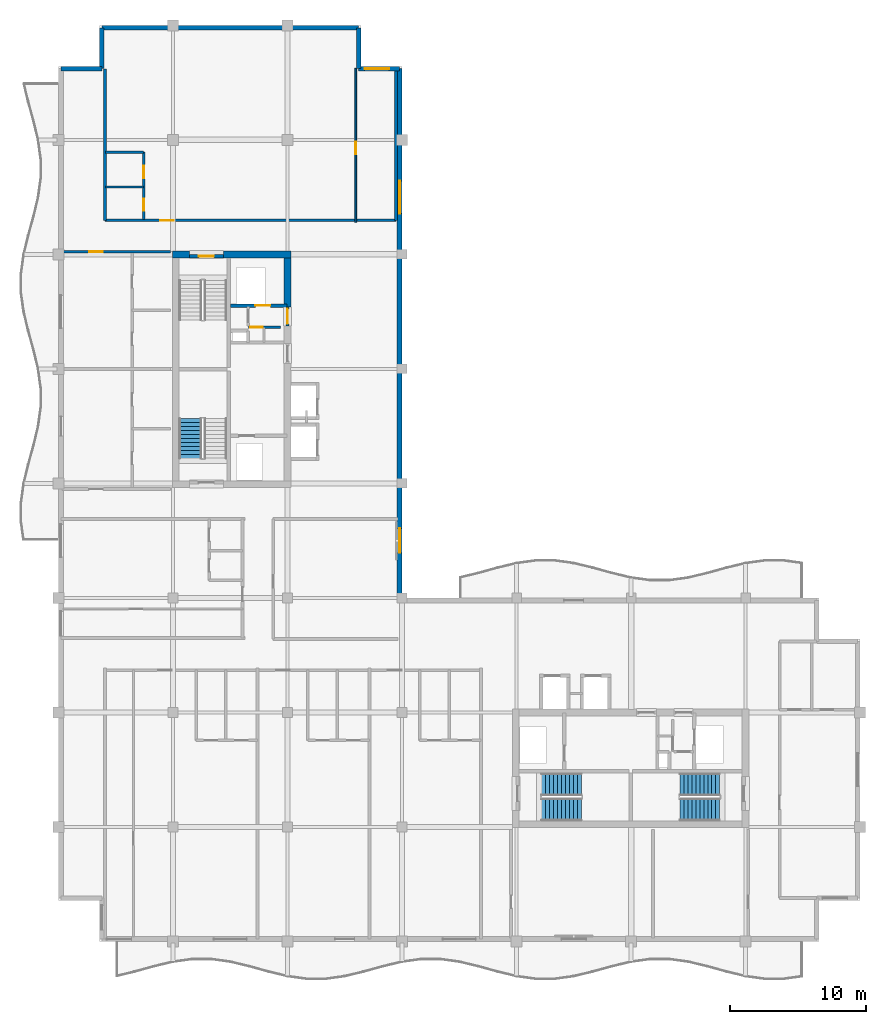
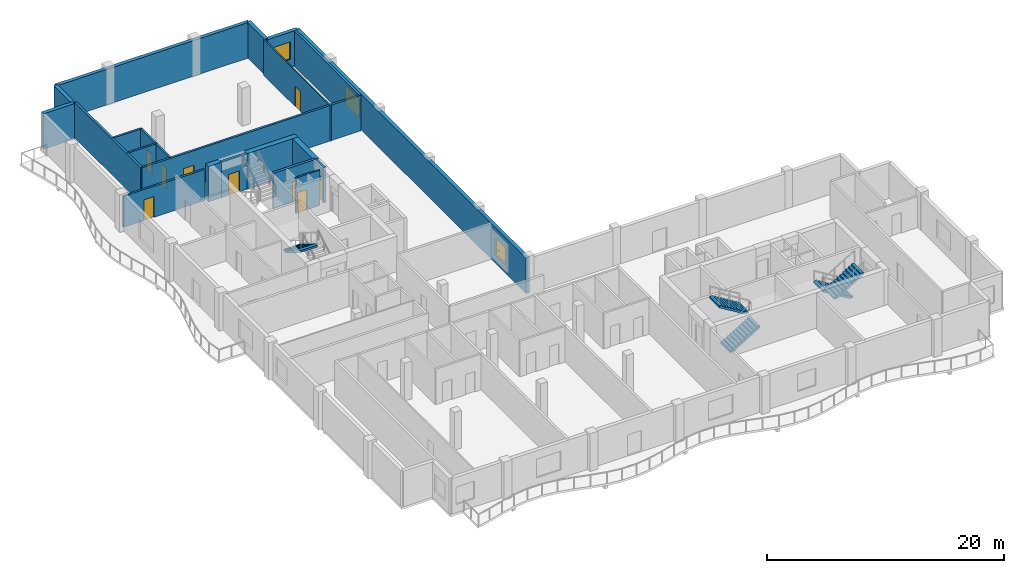
# One storey, part 7 of 11: 21 walls, 9 doors, 5 stair flights, 3 windows, 12 openings, 3 elements without a shape of their own.
"""IFC4 building model written with IfcOpenShell, lengths in metres."""

from ifc_helpers import new_model, si_unit, direction, frame, frame_2d, origin, place, context, subcontext, project, spatial, polyline, rectangle, outline, extrude, material, layer, layer_set, type_object, element, fill, aggregate, save


model = new_model("IFC4")

# Units and contexts
model_context = context("Model", 3, precision=1e-05, world=origin(), true_north=direction((0.0, 1.0)))
body_context = subcontext(model_context, "Body", "Model", "MODEL_VIEW")
ifc_project = project(units=[si_unit("LENGTHUNIT", "METRE"), si_unit("AREAUNIT", "SQUARE_METRE"), si_unit("VOLUMEUNIT", "CUBIC_METRE"), si_unit("PLANEANGLEUNIT", "RADIAN"), si_unit("MASSUNIT", "GRAM", prefix="KILO")], contexts=[model_context])

# Site, building, storey
site_placement = place(None, origin())
site = spatial("IfcSite", under=ifc_project, at=site_placement, CompositionType="ELEMENT")
building_placement = place(site_placement, origin())
building = spatial("IfcBuilding", under=site, at=building_placement, Name="Koriwani Terraces Tower", CompositionType="ELEMENT")
storey_placement = place(building_placement, frame((0.0, 0.0, 312.5)))
storey = spatial("IfcBuildingStorey", under=building, at=storey_placement, Name="L77", CompositionType="ELEMENT", Elevation=312.5)

# Walls
ifc_material_1 = material(Name="Concrete C50/60", Category="concrete")
ifc_layer_1 = layer(ifc_material_1, 0.5, Name="Concrete C50/60")
ifc_layer_set_1 = layer_set([ifc_layer_1], Name="Concrete C50/60")
wall_type_1 = type_object("IfcWallType", Name="WALL_CORE_RC_500", PredefinedType="SHEAR", material=ifc_layer_set_1)
wall_1_placement = place(storey_placement, frame((16.75, 58.800048828125, 0.0), z_axis=(0.0, 0.0, 1.0), x_axis=(1.0, 0.0, 0.0)))
element("IfcWall", 1, at=wall_1_placement, inside=storey, type_object=wall_type_1, Name="L77 West Split Core Shear Wall N1", PredefinedType="SHEAR", context=body_context, shape_type="SweptSolid", body=[
    extrude(rectangle(XDim=1.25, YDim=0.5, at=frame_2d((0.625, 0.0))), origin(), (0.0, 0.0, 1.0), 3.669921875),
])
wall_2_placement = place(storey_placement, frame((20.5, 58.800048828125, 0.0), z_axis=(0.0, 0.0, 1.0), x_axis=(1.0, 0.0, 0.0)))
element("IfcWall", 2, at=wall_2_placement, inside=storey, type_object=wall_type_1, Name="L77 West Split Core Shear Wall N2", PredefinedType="SHEAR", context=body_context, shape_type="SweptSolid", body=[
    extrude(rectangle(XDim=4.949951171875, YDim=0.5, at=frame_2d((2.47509765625, 0.0))), origin(), (0.0, 0.0, 1.0), 3.669921875),
])
wall_3_placement = place(storey_placement, frame((25.199951171875, 54.949951171875, 0.0), z_axis=(0.0, 0.0, 1.0), x_axis=(0.0, 1.0, 0.0)))
element("IfcWall", 3, at=wall_3_placement, inside=storey, type_object=wall_type_1, Name="L77 West Split Core Shear Wall E3", PredefinedType="SHEAR", context=body_context, shape_type="SweptSolid", body=[
    extrude(rectangle(XDim=3.60009765625, YDim=0.5, at=frame_2d((1.800048828125, 0.0))), origin(), (0.0, 0.0, 1.0), 3.669921875),
])

# Wall, opening, door
ifc_material_2 = material(Name="Autoclaved Cellular Concrete Blockwork", Category="masonry")
ifc_layer_2 = layer(ifc_material_2, 0.199951171875, Name="Autoclaved Cellular Concrete Blockwork")
ifc_layer_set_2 = layer_set([ifc_layer_2], Name="Autoclaved Cellular Concrete Blockwork")
wall_type_2 = type_object("IfcWallType", Name="WALL_CORRIDOR_200", PredefinedType="PARTITIONING", material=ifc_layer_set_2)
wall_4_placement = place(storey_placement, frame((8.64990234375, 59.0, 0.0), z_axis=(0.0, 0.0, 1.0), x_axis=(1.0, 0.0, 0.0)))
wall_4 = element("IfcWall", 4, at=wall_4_placement, inside=storey, type_object=wall_type_2, Name="L77 Interior Wall WRZ4-WN-L77", PredefinedType="PARTITIONING", context=body_context, shape_type="SweptSolid", body=[
    extrude(rectangle(XDim=7.9501953125, YDim=0.199951171875, at=frame_2d((3.97509765625, 0.0))), origin(), (0.0, 0.0, 1.0), 3.20703125),
])
opening_1_placement = place(wall_4_placement, frame((2.0, 0.0, 0.0)))
opening_1 = element("IfcOpeningElement", 5, at=opening_1_placement, cuts=wall_4, Name="Opening D-05", PredefinedType="OPENING", context=body_context, shape_type="SweptSolid", body=[
    extrude(rectangle(XDim=1.0, YDim=2.14990234375, at=frame_2d((0.5, 1.074951171875))), frame((0.0, 0.10986328125, 0.0), z_axis=(0.0, -1.0, 0.0), x_axis=(1.0, 0.0, 0.0)), (0.0, 0.0, 1.0), 0.219970703125),
])
ifc_material_3 = material(Name="Architectural Oak Fire Door", Category="wood")
door_type_1 = type_object("IfcDoorType", Name="DOOR_SUITE_ENTRY_1000X2150", OperationType="NOTDEFINED", PredefinedType="DOOR", material=ifc_material_3)
door_1_placement = place(opening_1_placement, origin())
door_1 = element("IfcDoor", 6, at=door_1_placement, inside=storey, type_object=door_type_1, Name="Apartment 77RW2 Entrance Door", OperationType="SINGLE_SWING_LEFT", OverallHeight=2.14990234375, OverallWidth=1.0, PredefinedType="DOOR", context=body_context, shape_type="SweptSolid", body=[
    extrude(rectangle(XDim=1.0, YDim=2.14990234375, at=frame_2d((0.5, 1.074951171875))), frame((0.0, 0.02490234375, 0.0), z_axis=(0.0, -1.0, 0.0), x_axis=(1.0, 0.0, 0.0)), (0.0, 0.0, 1.0), 0.050048828125),
])
fill(opening_1, door_1)

wall_5_placement = place(storey_placement, frame((11.800048828125, 61.300048828125, 0.0), z_axis=(0.0, 0.0, 1.0), x_axis=(1.0, 0.0, 0.0)))
wall_5 = element("IfcWall", 7, at=wall_5_placement, inside=storey, type_object=wall_type_2, Name="L77 Interior Wall WGB-L77-NT-S", PredefinedType="PARTITIONING", context=body_context, shape_type="SweptSolid", body=[
    extrude(rectangle(XDim=21.349853515625, YDim=0.199951171875, at=frame_2d((10.6748046875, 0.0))), origin(), (0.0, 0.0, 1.0), 3.669921875),
])
opening_2_placement = place(wall_5_placement, frame((4.050048828125, 0.0, 0.0)))
opening_2 = element("IfcOpeningElement", 8, at=opening_2_placement, cuts=wall_5, Name="Opening D-05", PredefinedType="OPENING", context=body_context, shape_type="SweptSolid", body=[
    extrude(rectangle(XDim=1.0, YDim=2.14990234375, at=frame_2d((0.5, 1.074951171875))), frame((0.0, 0.10986328125, 0.0), z_axis=(0.0, -1.0, 0.0), x_axis=(1.0, 0.0, 0.0)), (0.0, 0.0, 1.0), 0.219970703125),
])
door_2_placement = place(opening_2_placement, origin())
door_2 = element("IfcDoor", 9, at=door_2_placement, inside=storey, type_object=door_type_1, Name="Apartment 77NT Entrance Door", OperationType="SINGLE_SWING_RIGHT", OverallHeight=2.14990234375, OverallWidth=1.0, PredefinedType="DOOR", context=body_context, shape_type="SweptSolid", body=[
    extrude(rectangle(XDim=1.0, YDim=2.14990234375, at=frame_2d((0.5, 1.074951171875))), frame((0.0, 0.02490234375, 0.0), z_axis=(0.0, -1.0, 0.0), x_axis=(1.0, 0.0, 0.0)), (0.0, 0.0, 1.0), 0.050048828125),
])
fill(opening_2, door_2)

# Walls
ifc_layer_3 = layer(ifc_material_2, 0.219970703125, Name="Autoclaved Cellular Concrete Blockwork")
ifc_layer_set_3 = layer_set([ifc_layer_3], Name="Autoclaved Cellular Concrete Blockwork")
wall_type_3 = type_object("IfcWallType", Name="WALL_DEMISING_220", PredefinedType="PARTITIONING", material=ifc_layer_set_3)
for number, where, z_axis, x_axis, name in (
    (10, (33.14990234375, 61.300048828125, 0.0), (0.0, 0.0, 1.0), (0.0, 1.0, 0.0), "L77 Interior Wall WGB-L77-NT-E"),
    (11, (11.800048828125, 61.300048828125, 0.0), (0.0, 0.0, 1.0), (0.0, 1.0, 0.0), "L77 Interior Wall WGB-L77-NT-W"),
):
    element("IfcWall", number, at=place(storey_placement, frame(where, z_axis=z_axis, x_axis=x_axis)), inside=storey, type_object=wall_type_3, Name=name, PredefinedType="PARTITIONING", context=body_context, shape_type="SweptSolid", body=[
        extrude(rectangle(XDim=11.099853515625, YDim=0.219970703125, at=frame_2d((5.5498046875, 0.0))), origin(), (0.0, 0.0, 1.0), 3.669921875),
    ])
ifc_layer_4 = layer(ifc_material_1, 0.35009765625, Name="Concrete C50/60")
ifc_layer_set_4 = layer_set([ifc_layer_4], Name="Concrete C50/60")
wall_type_4 = type_object("IfcWallType", Name="WALL_EXT_BRUTALIST_350", PredefinedType="STANDARD", material=ifc_layer_set_4)
for number, where, z_axis, x_axis, name in (
    (12, (8.574951171875, 72.425048828125, 0.0), (0.0, 0.0, 1.0), (1.0, 0.0, 0.0), "L77 Fair-Faced Brutalist Exterior Wall (N3)"),
    (13, (11.574951171875, 72.425048828125, 0.0), (0.0, 0.0, 1.0), (0.0, 1.0, 0.0), "L77 Fair-Faced Brutalist Exterior Wall (N4)"),
):
    element("IfcWall", number, at=place(storey_placement, frame(where, z_axis=z_axis, x_axis=x_axis)), inside=storey, type_object=wall_type_4, Name=name, PredefinedType="STANDARD", context=body_context, shape_type="SweptSolid", body=[
        extrude(rectangle(XDim=3.0, YDim=0.35009765625, at=frame_2d((1.5, 0.0))), origin(), (0.0, 0.0, 1.0), 3.669921875),
    ])
wall_6_placement = place(storey_placement, frame((11.574951171875, 75.425048828125, 0.0), z_axis=(0.0, 0.0, 1.0), x_axis=(1.0, 0.0, 0.0)))
element("IfcWall", 14, at=wall_6_placement, inside=storey, type_object=wall_type_4, Name="L77 Fair-Faced Brutalist Exterior Wall (N_TIP)", PredefinedType="STANDARD", context=body_context, shape_type="SweptSolid", body=[
    extrude(rectangle(XDim=18.85009765625, YDim=0.35009765625, at=frame_2d((9.425048828125, 0.0))), origin(), (0.0, 0.0, 1.0), 3.669921875),
])
wall_7_placement = place(storey_placement, frame((30.425048828125, 75.425048828125, 0.0), z_axis=(0.0, 0.0, 1.0), x_axis=(0.0, -1.0, 0.0)))
element("IfcWall", 15, at=wall_7_placement, inside=storey, type_object=wall_type_4, Name="L77 Fair-Faced Brutalist Exterior Wall (N6)", PredefinedType="STANDARD", context=body_context, shape_type="SweptSolid", body=[
    extrude(rectangle(XDim=3.0, YDim=0.35009765625, at=frame_2d((1.5, 0.0))), origin(), (0.0, 0.0, 1.0), 3.669921875),
])

# Wall, opening, window
wall_8_placement = place(storey_placement, frame((30.425048828125, 72.425048828125, 0.0), z_axis=(0.0, 0.0, 1.0), x_axis=(1.0, 0.0, 0.0)))
wall_8 = element("IfcWall", 16, at=wall_8_placement, inside=storey, type_object=wall_type_4, Name="L77 Fair-Faced Brutalist Exterior Wall (N7)", PredefinedType="STANDARD", context=body_context, shape_type="SweptSolid", body=[
    extrude(rectangle(XDim=3.0, YDim=0.35009765625, at=frame_2d((1.5, 0.0))), origin(), (0.0, 0.0, 1.0), 3.669921875),
])
opening_3_placement = place(wall_8_placement, frame((0.4375, 0.0, 0.85009765625)))
opening_3 = element("IfcOpeningElement", 17, at=opening_3_placement, cuts=wall_8, Name="Opening W-04", PredefinedType="OPENING", context=body_context, shape_type="SweptSolid", body=[
    extrude(rectangle(XDim=1.800048828125, YDim=1.800048828125, at=frame_2d((0.89990234375, 0.89990234375))), frame((0.0, 0.18505859375, 0.0), z_axis=(0.0, -1.0, 0.0), x_axis=(1.0, 0.0, 0.0)), (0.0, 0.0, 1.0), 0.3701171875),
])
ifc_material_4 = material(Name="Tempered Laminated Low-E Glass", Category="glass")
window_type_1 = type_object("IfcWindowType", Name="WIN_RES_BED_1800X1800", PartitioningType="DOUBLE_PANEL_VERTICAL", PredefinedType="WINDOW", material=ifc_material_4)
window_1_placement = place(opening_3_placement, origin())
window_1 = element("IfcWindow", 18, at=window_1_placement, inside=storey, type_object=window_type_1, Name="L77 Exterior Window (N7-R47)", OverallHeight=1.800048828125, OverallWidth=1.800048828125, PartitioningType="SINGLE_PANEL", PredefinedType="WINDOW", context=body_context, shape_type="SweptSolid", body=[
    extrude(rectangle(XDim=1.800048828125, YDim=1.800048828125, at=frame_2d((0.89990234375, 0.89990234375))), frame((0.0, 0.030029296875, 0.0), z_axis=(0.0, -1.0, 0.0), x_axis=(1.0, 0.0, 0.0)), (0.0, 0.0, 1.0), 0.06005859375),
])
fill(opening_3, window_1)

# Wall, openings, windows
wall_9_placement = place(storey_placement, frame((33.425048828125, 72.425048828125, 0.0), z_axis=(0.0, 0.0, 1.0), x_axis=(0.0, -1.0, 0.0)))
wall_9 = element("IfcWall", 19, at=wall_9_placement, inside=storey, type_object=wall_type_4, Name="L77 Fair-Faced Brutalist Exterior Wall (NW_IN)", PredefinedType="STANDARD", context=body_context, shape_type="SweptSolid", body=[
    extrude(rectangle(XDim=39.0, YDim=0.35009765625, at=frame_2d((19.5, 0.0))), origin(), (0.0, 0.0, 1.0), 3.669921875),
])
opening_4_placement = place(wall_9_placement, frame((33.72509765625, 0.0, 0.85009765625)))
opening_4 = element("IfcOpeningElement", 20, at=opening_4_placement, cuts=wall_9, Name="Opening W-04", PredefinedType="OPENING", context=body_context, shape_type="SweptSolid", body=[
    extrude(rectangle(XDim=1.800048828125, YDim=1.800048828125, at=frame_2d((0.89990234375, 0.89990234375))), frame((0.0, 0.18505859375, 0.0), z_axis=(0.0, -1.0, 0.0), x_axis=(1.0, 0.0, 0.0)), (0.0, 0.0, 1.0), 0.3701171875),
])
opening_5_placement = place(wall_9_placement, frame((8.22509765625, 0.0, 0.85009765625)))
opening_5 = element("IfcOpeningElement", 21, at=opening_5_placement, cuts=wall_9, Name="Opening W-03", PredefinedType="OPENING", context=body_context, shape_type="SweptSolid", body=[
    extrude(rectangle(XDim=2.39990234375, YDim=1.949951171875, at=frame_2d((1.199951171875, 0.97509765625))), frame((0.0, 0.18505859375, 0.0), z_axis=(0.0, -1.0, 0.0), x_axis=(1.0, 0.0, 0.0)), (0.0, 0.0, 1.0), 0.3701171875),
])
window_2_placement = place(opening_4_placement, origin())
window_2 = element("IfcWindow", 22, at=window_2_placement, inside=storey, type_object=window_type_1, Name="L77 Exterior Window (NW_IN-2)", OverallHeight=1.800048828125, OverallWidth=1.800048828125, PartitioningType="SINGLE_PANEL", PredefinedType="WINDOW", context=body_context, shape_type="SweptSolid", body=[
    extrude(rectangle(XDim=1.800048828125, YDim=1.800048828125, at=frame_2d((0.89990234375, 0.89990234375))), frame((0.0, 0.030029296875, 0.0), z_axis=(0.0, -1.0, 0.0), x_axis=(1.0, 0.0, 0.0)), (0.0, 0.0, 1.0), 0.06005859375),
])
fill(opening_4, window_2)
window_type_2 = type_object("IfcWindowType", Name="WIN_RES_LIVING_2400X1950", PartitioningType="DOUBLE_PANEL_VERTICAL", PredefinedType="WINDOW", material=ifc_material_4)
window_3_placement = place(opening_5_placement, origin())
window_3 = element("IfcWindow", 23, at=window_3_placement, inside=storey, type_object=window_type_2, Name="L77 Exterior Window (NW_IN-11)", OverallHeight=1.949951171875, OverallWidth=2.39990234375, PartitioningType="SINGLE_PANEL", PredefinedType="WINDOW", context=body_context, shape_type="SweptSolid", body=[
    extrude(rectangle(XDim=2.39990234375, YDim=1.949951171875, at=frame_2d((1.199951171875, 0.97509765625))), frame((0.0, 0.030029296875, 0.0), z_axis=(0.0, -1.0, 0.0), x_axis=(1.0, 0.0, 0.0)), (0.0, 0.0, 1.0), 0.06005859375),
])
fill(opening_5, window_3)

# Wall, opening, door
ifc_material_5 = material(Name="Fire-Rated Acoustic Gypsum Partition", Category="masonry")
ifc_layer_5 = layer(ifc_material_5, 0.125, Name="Fire-Rated Acoustic Gypsum Partition")
ifc_layer_set_5 = layer_set([ifc_layer_5], Name="Fire-Rated Acoustic Gypsum Partition")
wall_type_5 = type_object("IfcWallType", Name="WALL_INT_125", PredefinedType="PARTITIONING", material=ifc_layer_set_5)
wall_10_placement = place(storey_placement, frame((30.199951171875, 61.14990234375, 0.0), z_axis=(0.0, 0.0, 1.0), x_axis=(0.0, 1.0, 0.0)))
wall_10 = element("IfcWall", 24, at=wall_10_placement, inside=storey, type_object=wall_type_5, Name="L77 Interior Wall WGB-L77-NT-BD", PredefinedType="PARTITIONING", context=body_context, shape_type="SweptSolid", body=[
    extrude(rectangle(XDim=11.300048828125, YDim=0.125, at=frame_2d((5.64990234375, 0.0))), origin(), (0.0, 0.0, 1.0), 3.669921875),
])
opening_6_placement = place(wall_10_placement, frame((4.9951171875, 0.0, 0.0)))
opening_6 = element("IfcOpeningElement", 25, at=opening_6_placement, cuts=wall_10, Name="Opening D-06", PredefinedType="OPENING", context=body_context, shape_type="SweptSolid", body=[
    extrude(rectangle(XDim=0.919921875, YDim=2.10009765625, at=frame_2d((0.4599609375, 1.050048828125))), frame((0.0, 0.072509765625, 0.0), z_axis=(0.0, -1.0, 0.0), x_axis=(1.0, 0.0, 0.0)), (0.0, 0.0, 1.0), 0.14501953125),
])
door_type_2 = type_object("IfcDoorType", Name="DOOR_ROOM_INT_920X2100", OperationType="NOTDEFINED", PredefinedType="DOOR", material=ifc_material_3)
door_3_placement = place(opening_6_placement, origin())
door_3 = element("IfcDoor", 26, at=door_3_placement, inside=storey, type_object=door_type_2, Name="Apartment 77NT Master Suite Door", OperationType="SINGLE_SWING_LEFT", OverallHeight=2.10009765625, OverallWidth=0.919921875, PredefinedType="DOOR", context=body_context, shape_type="SweptSolid", body=[
    extrude(rectangle(XDim=0.919921875, YDim=2.10009765625, at=frame_2d((0.4599609375, 1.050048828125))), frame((0.0, 0.02490234375, 0.0), z_axis=(0.0, -1.0, 0.0), x_axis=(1.0, 0.0, 0.0)), (0.0, 0.0, 1.0), 0.050048828125),
])
fill(opening_6, door_3)

# Wall, openings, doors
ifc_layer_6 = layer(ifc_material_5, 0.179931640625, Name="Fire-Rated Acoustic Gypsum Partition")
ifc_layer_set_6 = layer_set([ifc_layer_6], Name="Fire-Rated Acoustic Gypsum Partition")
wall_type_6 = type_object("IfcWallType", Name="WALL_PLUMBING_180", PredefinedType="PLUMBINGWALL", material=ifc_layer_set_6)
wall_11_placement = place(storey_placement, frame((14.64990234375, 61.35009765625, 0.0), z_axis=(0.0, 0.0, 1.0), x_axis=(0.0, 1.0, 0.0)))
wall_11 = element("IfcWall", 27, at=wall_11_placement, inside=storey, type_object=wall_type_6, Name="L77 Interior Wall WGB-L77-NT-SVB", PredefinedType="PLUMBINGWALL", context=body_context, shape_type="SweptSolid", body=[
    extrude(rectangle(XDim=4.949951171875, YDim=0.179931640625, at=frame_2d((2.47509765625, 0.0))), origin(), (0.0, 0.0, 1.0), 3.669921875),
])
opening_7_placement = place(wall_11_placement, frame((0.64990234375, 0.0, 0.0)))
opening_7 = element("IfcOpeningElement", 28, at=opening_7_placement, cuts=wall_11, Name="Opening D-07", PredefinedType="OPENING", context=body_context, shape_type="SweptSolid", body=[
    extrude(rectangle(XDim=0.89990234375, YDim=2.10009765625, at=frame_2d((0.449951171875, 1.050048828125))), frame((0.0, 0.10009765625, 0.0), z_axis=(0.0, -1.0, 0.0), x_axis=(1.0, 0.0, 0.0)), (0.0, 0.0, 1.0), 0.199951171875),
])
opening_8_placement = place(wall_11_placement, frame((3.050048828125, 0.0, 0.0)))
opening_8 = element("IfcOpeningElement", 29, at=opening_8_placement, cuts=wall_11, Name="Opening D-06", PredefinedType="OPENING", context=body_context, shape_type="SweptSolid", body=[
    extrude(rectangle(XDim=0.919921875, YDim=2.10009765625, at=frame_2d((0.4599609375, 1.050048828125))), frame((0.0, 0.10009765625, 0.0), z_axis=(0.0, -1.0, 0.0), x_axis=(1.0, 0.0, 0.0)), (0.0, 0.0, 1.0), 0.199951171875),
])
door_type_3 = type_object("IfcDoorType", Name="DOOR_BATH_INT_900X2100", OperationType="NOTDEFINED", PredefinedType="DOOR", material=ifc_material_3)
door_4_placement = place(opening_7_placement, origin())
door_4 = element("IfcDoor", 30, at=door_4_placement, inside=storey, type_object=door_type_3, Name="Apartment 77NT Bathroom Door", OperationType="SINGLE_SWING_LEFT", OverallHeight=2.10009765625, OverallWidth=0.89990234375, PredefinedType="DOOR", context=body_context, shape_type="SweptSolid", body=[
    extrude(rectangle(XDim=0.89990234375, YDim=2.10009765625, at=frame_2d((0.449951171875, 1.050048828125))), frame((0.0, 0.02490234375, 0.0), z_axis=(0.0, -1.0, 0.0), x_axis=(1.0, 0.0, 0.0)), (0.0, 0.0, 1.0), 0.050048828125),
])
fill(opening_7, door_4)
door_5_placement = place(opening_8_placement, origin())
door_5 = element("IfcDoor", 31, at=door_5_placement, inside=storey, type_object=door_type_2, Name="Apartment 77NT Kitchen Door", OperationType="SINGLE_SWING_RIGHT", OverallHeight=2.10009765625, OverallWidth=0.919921875, PredefinedType="DOOR", context=body_context, shape_type="SweptSolid", body=[
    extrude(rectangle(XDim=0.919921875, YDim=2.10009765625, at=frame_2d((0.4599609375, 1.050048828125))), frame((0.0, 0.02490234375, 0.0), z_axis=(0.0, -1.0, 0.0), x_axis=(1.0, 0.0, 0.0)), (0.0, 0.0, 1.0), 0.050048828125),
])
fill(opening_8, door_5)

# Walls
for number, where, z_axis, x_axis, name in (
    (32, (11.85009765625, 63.75, 0.0), (0.0, 0.0, 1.0), (1.0, 0.0, 0.0), "L77 Interior Wall WGB-L77-NT-SVM"),
    (33, (11.85009765625, 66.300048828125, 0.0), (0.0, 0.0, 1.0), (1.0, 0.0, 0.0), "L77 Interior Wall WGB-L77-NT-SV2"),
):
    element("IfcWall", number, at=place(storey_placement, frame(where, z_axis=z_axis, x_axis=x_axis)), inside=storey, type_object=wall_type_6, Name=name, PredefinedType="PLUMBINGWALL", context=body_context, shape_type="SweptSolid", body=[
        extrude(rectangle(XDim=2.7998046875, YDim=0.179931640625, at=frame_2d((1.39990234375, 0.0))), origin(), (0.0, 0.0, 1.0), 3.669921875),
    ])

# Wall, opening, door
ifc_material_6 = material(Name="Concrete C40/50", Category="concrete")
ifc_layer_7 = layer(ifc_material_6, 0.25, Name="Concrete C40/50")
ifc_layer_set_7 = layer_set([ifc_layer_7], Name="Concrete C40/50")
wall_type_7 = type_object("IfcWallType", Name="WALL_SHAFT_RATED_250", PredefinedType="SOLIDWALL", material=ifc_layer_set_7)
wall_12_placement = place(storey_placement, frame((18.0, 58.675048828125, 0.0), z_axis=(0.0, 0.0, 1.0), x_axis=(1.0, 0.0, 0.0)))
wall_12 = element("IfcWall", 34, at=wall_12_placement, inside=storey, type_object=wall_type_7, Name="L77 Interior Wall WIN-CW-L77-STN", PredefinedType="SOLIDWALL", context=body_context, shape_type="SweptSolid", body=[
    extrude(rectangle(XDim=2.5, YDim=0.25, at=frame_2d((1.25, 0.0))), origin(), (0.0, 0.0, 1.0), 3.669921875),
])
opening_9_placement = place(wall_12_placement, frame((0.699951171875, 0.0, 0.0)))
opening_9 = element("IfcOpeningElement", 35, at=opening_9_placement, cuts=wall_12, Name="Opening D-03", PredefinedType="OPENING", context=body_context, shape_type="SweptSolid", body=[
    extrude(rectangle(XDim=1.10009765625, YDim=2.14990234375, at=frame_2d((0.550048828125, 1.074951171875))), frame((0.0, 0.135009765625, 0.0), z_axis=(0.0, -1.0, 0.0), x_axis=(1.0, 0.0, 0.0)), (0.0, 0.0, 1.0), 0.27001953125),
])
ifc_material_7 = material(Name="Steel ASTM A572 Grade 50", Category="steel")
door_type_4 = type_object("IfcDoorType", Name="DOOR_STAIR_FIRE_1100X2150", OperationType="NOTDEFINED", PredefinedType="DOOR", material=ifc_material_7)
door_6_placement = place(opening_9_placement, origin())
door_6 = element("IfcDoor", 36, at=door_6_placement, inside=storey, type_object=door_type_4, Name="L77 Exit Stair ST-W2 Door", OperationType="SINGLE_SWING_RIGHT", OverallHeight=2.14990234375, OverallWidth=1.10009765625, PredefinedType="DOOR", context=body_context, shape_type="SweptSolid", body=[
    extrude(rectangle(XDim=1.10009765625, YDim=2.14990234375, at=frame_2d((0.550048828125, 1.074951171875))), frame((0.0, 0.02490234375, 0.0), z_axis=(0.0, -1.0, 0.0), x_axis=(1.0, 0.0, 0.0)), (0.0, 0.0, 1.0), 0.050048828125),
])
fill(opening_9, door_6)

wall_13_placement = place(storey_placement, frame((21.0, 55.050048828125, 0.0), z_axis=(0.0, 0.0, 1.0), x_axis=(1.0, 0.0, 0.0)))
wall_13 = element("IfcWall", 37, at=wall_13_placement, inside=storey, type_object=wall_type_7, Name="L77 Interior Wall WIN-CW-L77-SE", PredefinedType="SOLIDWALL", context=body_context, shape_type="SweptSolid", body=[
    extrude(rectangle(XDim=4.14990234375, YDim=0.25, at=frame_2d((2.074951171875, 0.0))), origin(), (0.0, 0.0, 1.0), 3.669921875),
])
opening_10_placement = place(wall_13_placement, frame((1.85009765625, 0.0, 0.0)))
opening_10 = element("IfcOpeningElement", 38, at=opening_10_placement, cuts=wall_13, Name="Opening LD-01", PredefinedType="OPENING", context=body_context, shape_type="SweptSolid", body=[
    extrude(rectangle(XDim=1.10009765625, YDim=2.14990234375, at=frame_2d((0.550048828125, 1.074951171875))), frame((0.0, 0.135009765625, 0.0), z_axis=(0.0, -1.0, 0.0), x_axis=(1.0, 0.0, 0.0)), (0.0, 0.0, 1.0), 0.27001953125),
])
door_type_5 = type_object("IfcDoorType", Name="DOOR_LIFT_LANDING_1100X2200", OperationType="NOTDEFINED", PredefinedType="DOOR", material=ifc_material_7)
door_7_placement = place(opening_10_placement, origin())
door_7 = element("IfcDoor", 39, at=door_7_placement, inside=storey, type_object=door_type_5, Name="L77 Goods Lift SE-01 Landing Door", OperationType="SLIDING_TO_LEFT", OverallHeight=2.14990234375, OverallWidth=1.10009765625, PredefinedType="DOOR", context=body_context, shape_type="SweptSolid", body=[
    extrude(rectangle(XDim=1.10009765625, YDim=2.14990234375, at=frame_2d((0.550048828125, 1.074951171875))), frame((0.0, 0.02490234375, 0.0), z_axis=(0.0, -1.0, 0.0), x_axis=(1.0, 0.0, 0.0)), (0.0, 0.0, 1.0), 0.050048828125),
])
fill(opening_10, door_7)

wall_14_placement = place(storey_placement, frame((25.199951171875, 53.550048828125, 0.0), z_axis=(0.0, 0.0, 1.0), x_axis=(0.0, 1.0, 0.0)))
wall_14 = element("IfcWall", 40, at=wall_14_placement, inside=storey, type_object=wall_type_7, Name="L77 Interior Wall WIN-CW-L77-EP2", PredefinedType="SOLIDWALL", context=body_context, shape_type="SweptSolid", body=[
    extrude(rectangle(XDim=1.39990234375, YDim=0.25, at=frame_2d((0.699951171875, 0.0))), origin(), (0.0, 0.0, 1.0), 3.669921875),
])
opening_11_placement = place(wall_14_placement, frame((0.14990234375, 0.0, 0.0)))
opening_11 = element("IfcOpeningElement", 41, at=opening_11_placement, cuts=wall_14, Name="Opening D-03", PredefinedType="OPENING", context=body_context, shape_type="SweptSolid", body=[
    extrude(rectangle(XDim=1.10009765625, YDim=2.14990234375, at=frame_2d((0.550048828125, 1.074951171875))), frame((0.0, 0.135009765625, 0.0), z_axis=(0.0, -1.0, 0.0), x_axis=(1.0, 0.0, 0.0)), (0.0, 0.0, 1.0), 0.27001953125),
])
door_8_placement = place(opening_11_placement, origin())
door_8 = element("IfcDoor", 42, at=door_8_placement, inside=storey, type_object=door_type_4, Name="L77 West Goods Lift Lobby Door", OperationType="SINGLE_SWING_RIGHT", OverallHeight=2.14990234375, OverallWidth=1.10009765625, PredefinedType="DOOR", context=body_context, shape_type="SweptSolid", body=[
    extrude(rectangle(XDim=1.10009765625, YDim=2.14990234375, at=frame_2d((0.550048828125, 1.074951171875))), frame((0.0, 0.02490234375, 0.0), z_axis=(0.0, -1.0, 0.0), x_axis=(1.0, 0.0, 0.0)), (0.0, 0.0, 1.0), 0.050048828125),
])
fill(opening_11, door_8)

ifc_layer_8 = layer(ifc_material_5, 0.159912109375, Name="Fire-Rated Acoustic Gypsum Partition")
ifc_layer_set_8 = layer_set([ifc_layer_8], Name="Fire-Rated Acoustic Gypsum Partition")
wall_type_8 = type_object("IfcWallType", Name="WALL_SUITE_160", PredefinedType="PARTITIONING", material=ifc_layer_set_8)
wall_15_placement = place(storey_placement, frame((22.320068359375, 53.4599609375, 0.0), z_axis=(0.0, 0.0, 1.0), x_axis=(1.0, 0.0, 0.0)))
wall_15 = element("IfcWall", 43, at=wall_15_placement, inside=storey, type_object=wall_type_8, Name="L77 Interior Wall WIN-CW-L77-SV2H", PredefinedType="PARTITIONING", context=body_context, shape_type="SweptSolid", body=[
    extrude(rectangle(XDim=2.35986328125, YDim=0.159912109375, at=frame_2d((1.179931640625, 0.0))), origin(), (0.0, 0.0, 1.0), 3.669921875),
])
opening_12_placement = place(wall_15_placement, frame((0.159912109375, 0.0, 0.0)))
opening_12 = element("IfcOpeningElement", 44, at=opening_12_placement, cuts=wall_15, Name="Opening D-07", PredefinedType="OPENING", context=body_context, shape_type="SweptSolid", body=[
    extrude(rectangle(XDim=0.89990234375, YDim=2.10009765625, at=frame_2d((0.449951171875, 1.050048828125))), frame((0.0, 0.08984375, 0.0), z_axis=(0.0, -1.0, 0.0), x_axis=(1.0, 0.0, 0.0)), (0.0, 0.0, 1.0), 0.179931640625),
])
door_9_placement = place(opening_12_placement, origin())
door_9 = element("IfcDoor", 45, at=door_9_placement, inside=storey, type_object=door_type_3, Name="L77 West Valve Room Door", OperationType="SINGLE_SWING_RIGHT", OverallHeight=2.10009765625, OverallWidth=0.89990234375, PredefinedType="DOOR", context=body_context, shape_type="SweptSolid", body=[
    extrude(rectangle(XDim=0.89990234375, YDim=2.10009765625, at=frame_2d((0.449951171875, 1.050048828125))), frame((0.0, 0.02490234375, 0.0), z_axis=(0.0, -1.0, 0.0), x_axis=(1.0, 0.0, 0.0)), (0.0, 0.0, 1.0), 0.050048828125),
])
fill(opening_12, door_9)

# Stair, stair flight
stair_type = type_object("IfcStairType", Name="STAIR_CORE_DOGLEG_1650", PredefinedType="TWO_STRAIGHT_RUN_STAIR", material=ifc_material_6)
stair_1_placement = place(storey_placement, origin())
stair_1 = element("IfcStair", 46, at=stair_1_placement, inside=storey, type_object=stair_type, Name="L77 West Core Exit Stair 1", PredefinedType="HALF_TURN_STAIR")
stair_flight_type = type_object("IfcStairFlightType", Name="STAIR_FLIGHT_RC_1650", PredefinedType="STRAIGHT", material=ifc_material_6)
stair_flight_1_placement = place(storey_placement, frame((18.074951171875, 46.75, 1.949951171875), z_axis=(0.0, 0.0, 1.0), x_axis=(0.0, -1.0, 0.0)))
stair_flight_1 = element("IfcStairFlight", 47, at=stair_flight_1_placement, type_object=stair_flight_type, Name="ST-W1 flight 2", NumberOfRisers=11, NumberOfTreads=10, PredefinedType="STRAIGHT", RiserHeight=0.177272727, TreadLength=0.29, context=body_context, shape_type="SweptSolid", body=[
    extrude(outline(polyline([(0.0, 0.0), (0.0, 0.17724609375), (0.2900390625, 0.17724609375), (0.2900390625, 0.3544921875), (0.580078125, 0.3544921875), (0.580078125, 0.53173828125), (0.8701171875, 0.53173828125), (0.8701171875, 0.708984375), (1.159912109375, 0.708984375), (1.159912109375, 0.886474609375), (1.449951171875, 0.886474609375), (1.449951171875, 1.063720703125), (1.739990234375, 1.063720703125), (1.739990234375, 1.240966796875), (2.030029296875, 1.240966796875), (2.030029296875, 1.418212890625), (2.320068359375, 1.418212890625), (2.320068359375, 1.595458984375), (2.610107421875, 1.595458984375), (2.610107421875, 1.772705078125), (2.89990234375, 1.772705078125), (2.89990234375, 1.949951171875), (2.89990234375, 1.561767578125), (0.344970703125, 0.0), (0.0, 0.0)])), frame((0.0, 0.824951171875, 0.0), z_axis=(0.0, -1.0, 0.0), x_axis=(1.0, 0.0, 0.0)), (0.0, 0.0, 1.0), 1.64990234375),
])
aggregate(stair_1, [stair_flight_1])

# Stair, stair flights
stair_2_placement = place(storey_placement, origin())
stair_2 = element("IfcStair", 48, at=stair_2_placement, inside=storey, type_object=stair_type, Name="L77 East Core Exit Stair 1", PredefinedType="HALF_TURN_STAIR")
stair_flight_2_placement = place(storey_placement, frame((43.85009765625, 18.074951171875, 0.0), z_axis=(0.0, 0.0, 1.0), x_axis=(1.0, 0.0, 0.0)))
stair_flight_2 = element("IfcStairFlight", 49, at=stair_flight_2_placement, type_object=stair_flight_type, Name="ST-E1 flight 1", NumberOfRisers=11, NumberOfTreads=10, PredefinedType="STRAIGHT", RiserHeight=0.177272727, TreadLength=0.29, context=body_context, shape_type="SweptSolid", body=[
    extrude(outline(polyline([(0.0, 0.0), (0.0, 0.17724609375), (0.2900390625, 0.17724609375), (0.2900390625, 0.3544921875), (0.580078125, 0.3544921875), (0.580078125, 0.53173828125), (0.8701171875, 0.53173828125), (0.8701171875, 0.708984375), (1.159912109375, 0.708984375), (1.159912109375, 0.886474609375), (1.449951171875, 0.886474609375), (1.449951171875, 1.063720703125), (1.739990234375, 1.063720703125), (1.739990234375, 1.240966796875), (2.030029296875, 1.240966796875), (2.030029296875, 1.418212890625), (2.320068359375, 1.418212890625), (2.320068359375, 1.595458984375), (2.610107421875, 1.595458984375), (2.610107421875, 1.772705078125), (2.89990234375, 1.772705078125), (2.89990234375, 1.949951171875), (2.89990234375, 1.561767578125), (0.344970703125, 0.0), (0.0, 0.0)])), frame((0.0, 0.824951171875, 0.0), z_axis=(0.0, -1.0, 0.0), x_axis=(1.0, 0.0, 0.0)), (0.0, 0.0, 1.0), 1.64990234375),
])
stair_flight_3_placement = place(storey_placement, frame((46.75, 19.925048828125, 1.949951171875), z_axis=(0.0, 0.0, 1.0), x_axis=(-1.0, 0.0, 0.0)))
stair_flight_3 = element("IfcStairFlight", 50, at=stair_flight_3_placement, type_object=stair_flight_type, Name="ST-E1 flight 2", NumberOfRisers=11, NumberOfTreads=10, PredefinedType="STRAIGHT", RiserHeight=0.177272727, TreadLength=0.29, context=body_context, shape_type="SweptSolid", body=[
    extrude(outline(polyline([(0.0, 0.0), (0.0, 0.17724609375), (0.2900390625, 0.17724609375), (0.2900390625, 0.3544921875), (0.580078125, 0.3544921875), (0.580078125, 0.53173828125), (0.8701171875, 0.53173828125), (0.8701171875, 0.708984375), (1.159912109375, 0.708984375), (1.159912109375, 0.886474609375), (1.449951171875, 0.886474609375), (1.449951171875, 1.063720703125), (1.739990234375, 1.063720703125), (1.739990234375, 1.240966796875), (2.030029296875, 1.240966796875), (2.030029296875, 1.418212890625), (2.320068359375, 1.418212890625), (2.320068359375, 1.595458984375), (2.610107421875, 1.595458984375), (2.610107421875, 1.772705078125), (2.89990234375, 1.772705078125), (2.89990234375, 1.949951171875), (2.89990234375, 1.561767578125), (0.344970703125, 0.0), (0.0, 0.0)])), frame((0.0, 0.824951171875, 0.0), z_axis=(0.0, -1.0, 0.0), x_axis=(1.0, 0.0, 0.0)), (0.0, 0.0, 1.0), 1.64990234375),
])
aggregate(stair_2, [stair_flight_2, stair_flight_3])

stair_3_placement = place(storey_placement, origin())
stair_3 = element("IfcStair", 51, at=stair_3_placement, inside=storey, type_object=stair_type, Name="L77 East Core Exit Stair 2", PredefinedType="HALF_TURN_STAIR")
stair_flight_4_placement = place(storey_placement, frame((56.89990234375, 19.925048828125, 0.0), z_axis=(0.0, 0.0, 1.0), x_axis=(-1.0, 0.0, 0.0)))
stair_flight_4 = element("IfcStairFlight", 52, at=stair_flight_4_placement, type_object=stair_flight_type, Name="ST-E2 flight 1", NumberOfRisers=11, NumberOfTreads=10, PredefinedType="STRAIGHT", RiserHeight=0.177272727, TreadLength=0.29, context=body_context, shape_type="SweptSolid", body=[
    extrude(outline(polyline([(0.0, 0.0), (0.0, 0.17724609375), (0.2900390625, 0.17724609375), (0.2900390625, 0.3544921875), (0.580078125, 0.3544921875), (0.580078125, 0.53173828125), (0.8701171875, 0.53173828125), (0.8701171875, 0.708984375), (1.159912109375, 0.708984375), (1.159912109375, 0.886474609375), (1.449951171875, 0.886474609375), (1.449951171875, 1.063720703125), (1.739990234375, 1.063720703125), (1.739990234375, 1.240966796875), (2.030029296875, 1.240966796875), (2.030029296875, 1.418212890625), (2.320068359375, 1.418212890625), (2.320068359375, 1.595458984375), (2.610107421875, 1.595458984375), (2.610107421875, 1.772705078125), (2.89990234375, 1.772705078125), (2.89990234375, 1.949951171875), (2.89990234375, 1.561767578125), (0.344970703125, 0.0), (0.0, 0.0)])), frame((0.0, 0.824951171875, 0.0), z_axis=(0.0, -1.0, 0.0), x_axis=(1.0, 0.0, 0.0)), (0.0, 0.0, 1.0), 1.64990234375),
])
stair_flight_5_placement = place(storey_placement, frame((54.0, 18.074951171875, 1.949951171875), z_axis=(0.0, 0.0, 1.0), x_axis=(1.0, 0.0, 0.0)))
stair_flight_5 = element("IfcStairFlight", 53, at=stair_flight_5_placement, type_object=stair_flight_type, Name="ST-E2 flight 2", NumberOfRisers=11, NumberOfTreads=10, PredefinedType="STRAIGHT", RiserHeight=0.177272727, TreadLength=0.29, context=body_context, shape_type="SweptSolid", body=[
    extrude(outline(polyline([(0.0, 0.0), (0.0, 0.17724609375), (0.2900390625, 0.17724609375), (0.2900390625, 0.3544921875), (0.580078125, 0.3544921875), (0.580078125, 0.53173828125), (0.8701171875, 0.53173828125), (0.8701171875, 0.708984375), (1.159912109375, 0.708984375), (1.159912109375, 0.886474609375), (1.449951171875, 0.886474609375), (1.449951171875, 1.063720703125), (1.739990234375, 1.063720703125), (1.739990234375, 1.240966796875), (2.030029296875, 1.240966796875), (2.030029296875, 1.418212890625), (2.320068359375, 1.418212890625), (2.320068359375, 1.595458984375), (2.610107421875, 1.595458984375), (2.610107421875, 1.772705078125), (2.89990234375, 1.772705078125), (2.89990234375, 1.949951171875), (2.89990234375, 1.561767578125), (0.344970703125, 0.0), (0.0, 0.0)])), frame((0.0, 0.824951171875, 0.0), z_axis=(0.0, -1.0, 0.0), x_axis=(1.0, 0.0, 0.0)), (0.0, 0.0, 1.0), 1.64990234375),
])
aggregate(stair_3, [stair_flight_4, stair_flight_5])

save(model, "model.ifc")
